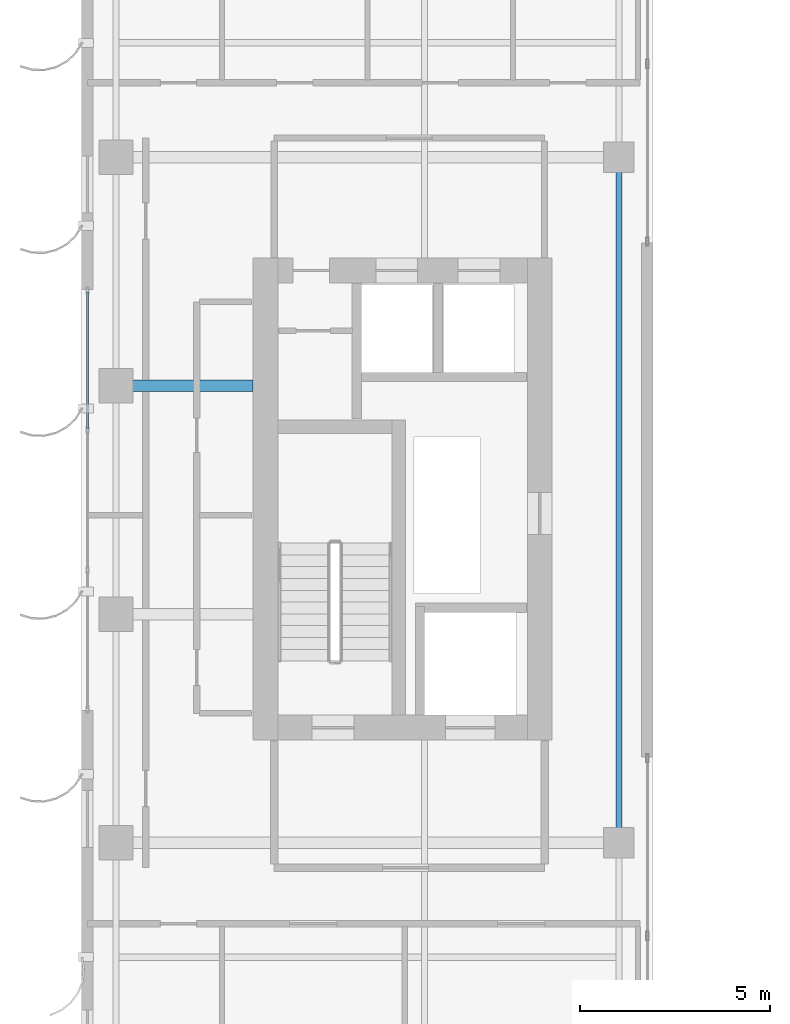
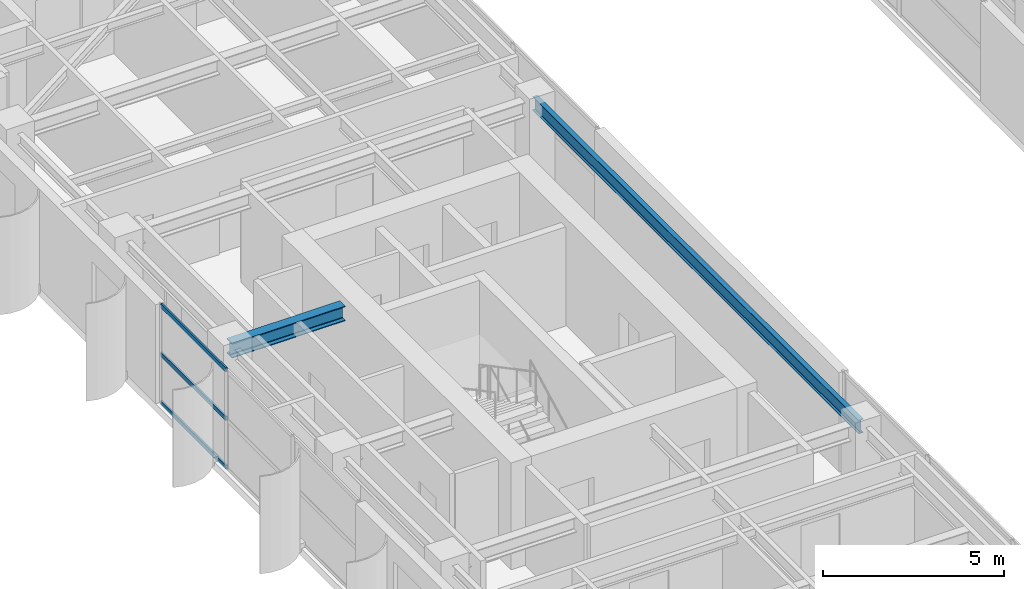
# One storey, part 7 of 22: 3 members, 2 beams, 1 element without a shape of its own.
"""IFC4 building model written with IfcOpenShell, lengths in metres."""

from ifc_helpers import new_model, si_unit, direction, frame, origin, origin_2d, place, context, subcontext, project, spatial, hollow_rectangle, i_section, extrude, source, transform, mapped, material, layer, layer_set, material_profile, profile_set, type_object, element, aggregate, save


model = new_model("IFC4")

# Units and contexts
model_context = context("Model", 3, precision=1e-05, world=origin(), true_north=direction((0.0, 1.0)))
body_context = subcontext(model_context, "Body", "Model", "MODEL_VIEW")
ifc_project = project(units=[si_unit("LENGTHUNIT", "METRE"), si_unit("AREAUNIT", "SQUARE_METRE"), si_unit("VOLUMEUNIT", "CUBIC_METRE"), si_unit("PLANEANGLEUNIT", "RADIAN"), si_unit("MASSUNIT", "GRAM", prefix="KILO")], contexts=[model_context])

# Site, building, storey
site_placement = place(None, origin())
site = spatial("IfcSite", under=ifc_project, at=site_placement, CompositionType="ELEMENT")
building_placement = place(site_placement, origin())
building = spatial("IfcBuilding", under=site, at=building_placement, Name="Khoralis Quay Care Tower", CompositionType="ELEMENT")
storey_placement = place(building_placement, frame((0.0, 0.0, 202.5)))
storey = spatial("IfcBuildingStorey", under=building, at=storey_placement, Name="L53", CompositionType="ELEMENT", Elevation=202.5)

# Beams
ifc_material_1 = material(Name="Steel S355", Category="steel")
ifc_material_profile_1 = material_profile(ifc_material_1, i_section(OverallWidth=0.300048828125, OverallDepth=0.5, WebThickness=0.014404296875, FlangeThickness=0.028076171875, FilletRadius=0.027099609375, at=origin_2d()), Name="Steel S355")
ifc_profile_set_1 = profile_set([ifc_material_profile_1], Name="Steel S355")
beam_type_1 = type_object("IfcBeamType", Name="BM-HEB500", PredefinedType="BEAM", material=ifc_profile_set_1)
shared_shape_1 = source(origin(), body_context, "Body", "SweptSolid", [
    extrude(i_section(OverallWidth=0.300048828125, OverallDepth=0.5, WebThickness=0.014404296875, FlangeThickness=0.028076171875, FilletRadius=0.027099609375, at=origin_2d()), origin(), (0.0, 0.0, 1.0), 3.60205078125),
])
beam_1_placement = place(storey_placement, frame((3.89990234375, 24.0, 3.090087890625), z_axis=(1.0, 0.0, 0.0), x_axis=(0.0, 1.0, 0.0)))
element("IfcBeam", 1, at=beam_1_placement, inside=storey, type_object=beam_type_1, Name="BM-TGXW-L53-240", PredefinedType="BEAM", context=body_context, shape_type="MappedRepresentation", body=[
    mapped(shared_shape_1, transform((0.0, 0.0, 0.0), scale=1.0)),
])
ifc_material_profile_2 = material_profile(ifc_material_1, i_section(OverallWidth=0.154052734375, OverallDepth=0.458984375, WebThickness=0.009033203125, FlangeThickness=0.015380859375, FilletRadius=0.014892578125, at=origin_2d()), Name="Steel S355")
ifc_profile_set_2 = profile_set([ifc_material_profile_2], Name="Steel S355")
beam_type_2 = type_object("IfcBeamType", Name="BM-W460X68", PredefinedType="BEAM", material=ifc_profile_set_2)
shared_shape_2 = source(origin(), body_context, "Body", "SweptSolid", [
    extrude(i_section(OverallWidth=0.154052734375, OverallDepth=0.458984375, WebThickness=0.009033203125, FlangeThickness=0.015380859375, FilletRadius=0.014892578125, at=origin_2d()), origin(), (0.0, 0.0, 1.0), 18.0),
])
beam_2_placement = place(storey_placement, frame((17.10009765625, 12.0, 3.110595703125), z_axis=(0.0, 1.0, 0.0), x_axis=(-1.0, 0.0, 0.0)))
element("IfcBeam", 2, at=beam_2_placement, inside=storey, type_object=beam_type_2, Name="BM-TGSW-L53", PredefinedType="BEAM", context=body_context, shape_type="MappedRepresentation", body=[
    mapped(shared_shape_2, transform((0.0, 0.0, 0.0), scale=1.0)),
])

# Curtain wall, members
ifc_material_2 = material(Name="Pale anodised aluminium", Category="aluminium")
ifc_layer = layer(ifc_material_2, 0.159912109375)
ifc_layer_set = layer_set([ifc_layer], Name="Pale anodised aluminium")
curtain_wall_type = type_object("IfcCurtainWallType", Name="CW-SYS-Z3", PredefinedType="NOTDEFINED", material=ifc_layer_set)
curtain_wall_placement = place(storey_placement, origin())
curtain_wall = element("IfcCurtainWall", 3, at=curtain_wall_placement, inside=storey, type_object=curtain_wall_type, Name="L53 Unitised Curtain Wall CW-L53-P1-E7", PredefinedType="NOTDEFINED")
ifc_material_profile_3 = material_profile(ifc_material_2, hollow_rectangle(XDim=0.06005859375, YDim=0.139892578125, WallThickness=0.00390625, at=origin_2d()), Name="Pale anodised aluminium")
ifc_profile_set_3 = profile_set([ifc_material_profile_3], Name="Pale anodised aluminium")
member_type = type_object("IfcMemberType", Name="CW-TRN-140", PredefinedType="USERDEFINED", material=ifc_profile_set_3)
shared_shape_3 = source(origin(), body_context, "Body", "SweptSolid", [
    extrude(hollow_rectangle(XDim=0.06005859375, YDim=0.139892578125, WallThickness=0.00390625, at=origin_2d()), origin(), (0.0, 0.0, 1.0), 3.58984375),
])
member_1_placement = place(storey_placement, frame((3.14990234375, 26.4599609375, 0.030029296875), z_axis=(0.0, -1.0, 0.0), x_axis=(1.0, 0.0, 0.0)))
member_1 = element("IfcMember", 4, at=member_1_placement, type_object=member_type, Name="CW3 transom 1.1", ObjectType="TRANSOM", PredefinedType="USERDEFINED", context=body_context, shape_type="MappedRepresentation", body=[
    mapped(shared_shape_3, transform((0.0, 0.0, 0.0), scale=1.0)),
])
member_2_placement = place(storey_placement, frame((3.14990234375, 26.4599609375, 1.669921875), z_axis=(0.0, -1.0, 0.0), x_axis=(1.0, 0.0, 0.0)))
member_2 = element("IfcMember", 5, at=member_2_placement, type_object=member_type, Name="CW3 transom 1.2", ObjectType="TRANSOM", PredefinedType="USERDEFINED", context=body_context, shape_type="MappedRepresentation", body=[
    mapped(shared_shape_3, transform((0.0, 0.0, 0.0), scale=1.0)),
])
member_3_placement = place(storey_placement, frame((3.14990234375, 26.4599609375, 3.31005859375), z_axis=(0.0, -1.0, 0.0), x_axis=(1.0, 0.0, 0.0)))
member_3 = element("IfcMember", 6, at=member_3_placement, type_object=member_type, Name="CW3 transom 1.3", ObjectType="TRANSOM", PredefinedType="USERDEFINED", context=body_context, shape_type="MappedRepresentation", body=[
    mapped(shared_shape_3, transform((0.0, 0.0, 0.0), scale=1.0)),
])
aggregate(curtain_wall, [member_1, member_2, member_3])

save(model, "model.ifc")
